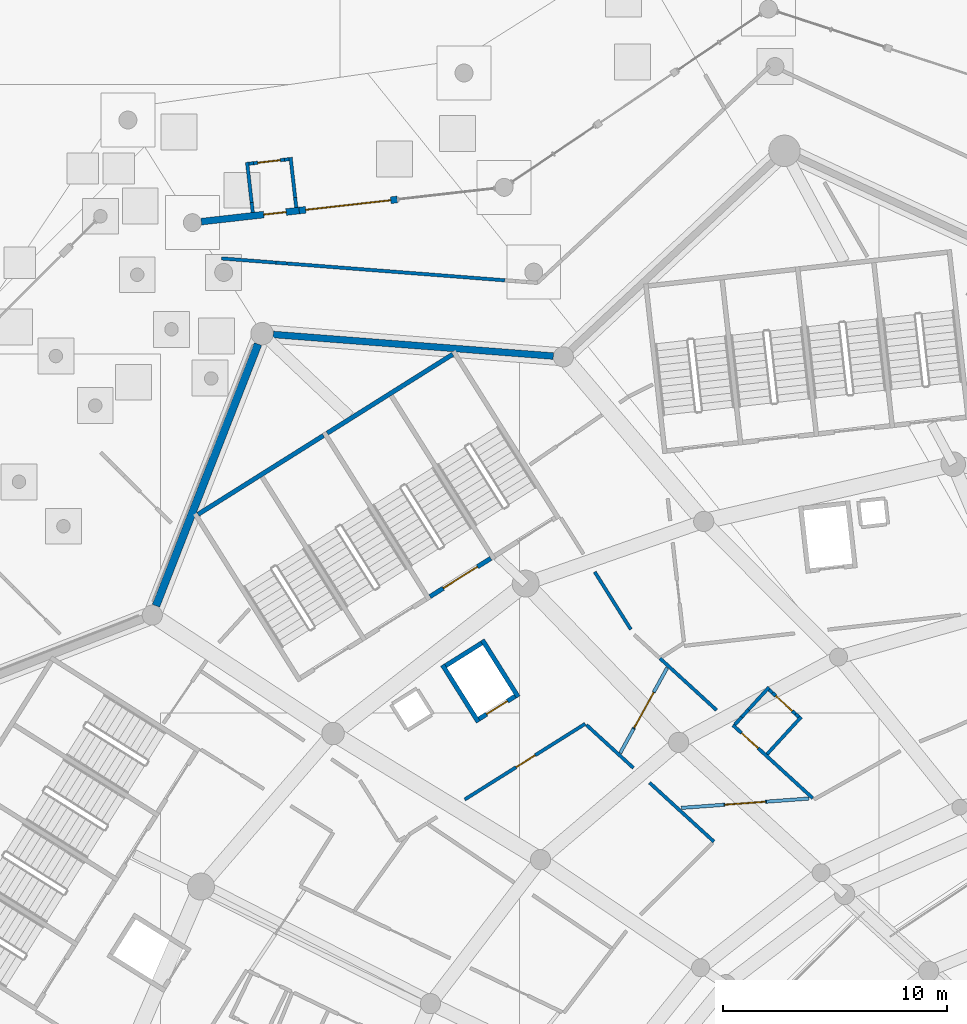
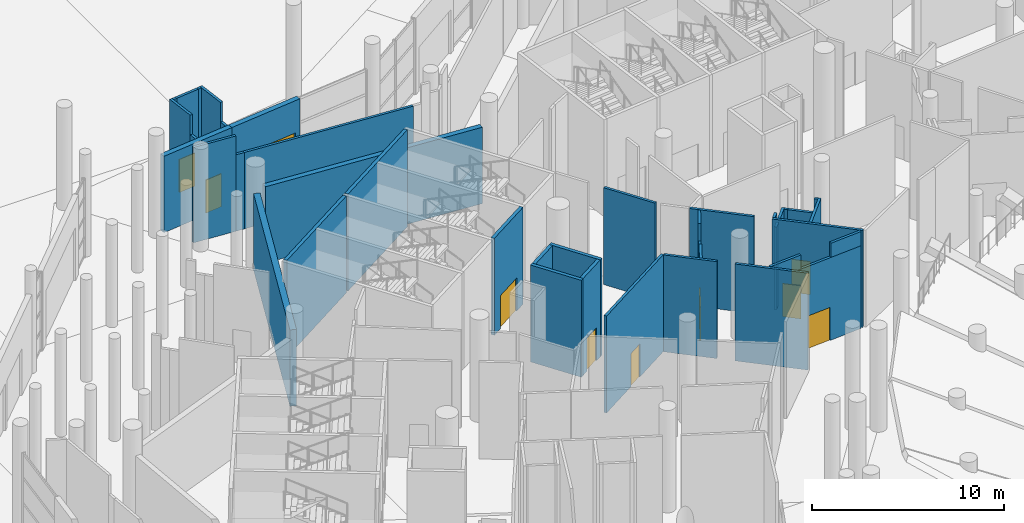
# One storey, part 139 of 255: 40 walls, 10 doors, 10 openings.
"""IFC4 building model written with IfcOpenShell, lengths in metres."""

from ifc_helpers import new_model, si_unit, direction, frame, frame_2d, origin, place, context, subcontext, project, spatial, rectangle, extrude, material, layer, layer_set, type_object, element, fill, save


model = new_model("IFC4")

# Units and contexts
model_context = context("Model", 3, precision=1e-05, world=origin(), true_north=direction((0.0, 1.0)))
body_context = subcontext(model_context, "Body", "Model", "MODEL_VIEW")
ifc_project = project(units=[si_unit("LENGTHUNIT", "METRE"), si_unit("AREAUNIT", "SQUARE_METRE"), si_unit("VOLUMEUNIT", "CUBIC_METRE"), si_unit("PLANEANGLEUNIT", "RADIAN"), si_unit("MASSUNIT", "GRAM", prefix="KILO")], contexts=[model_context])

# Site, building, storey
site_placement = place(None, origin())
site = spatial("IfcSite", under=ifc_project, at=site_placement, CompositionType="ELEMENT")
building_placement = place(site_placement, origin())
building = spatial("IfcBuilding", under=site, at=building_placement, Name="Meseta Stadium", CompositionType="ELEMENT")
storey_placement = place(building_placement, origin())
storey = spatial("IfcBuildingStorey", under=building, at=storey_placement, Name="L00", CompositionType="ELEMENT", Elevation=0.0)

# Walls
ifc_material_1 = material(Name="Concrete C40/50", Category="concrete")
ifc_layer_1 = layer(ifc_material_1, 0.199951171875)
ifc_layer_set_1 = layer_set([ifc_layer_1], Name="Core shaft wall 200")
wall_type_1 = type_object("IfcWallType", Name="Core shaft wall 200", PredefinedType="SHEAR", material=ifc_layer_set_1)
for number, where, z_axis, x_axis, name in (
    (1, (-66.981689453125, 95.985595703125, 0.0), (0.0, 0.0, 1.0), (-0.846719870989, -0.532038964807, 0.0), "Core 13 L00 stair A outer end wall"),
    (2, (-72.739501953125, 92.36767578125, 0.0), (0.0, 0.0, 1.0), (-0.846719870989, -0.532038964807, 0.0), "Core 13 L00 stair B outer end wall"),
):
    element("IfcWall", number, at=place(storey_placement, frame(where, z_axis=z_axis, x_axis=x_axis)), inside=storey, type_object=wall_type_1, Name=name, PredefinedType="SHEAR", context=body_context, shape_type="SweptSolid", body=[
        extrude(rectangle(XDim=6.60009765625, YDim=0.199951171875, at=frame_2d((3.300048828125, 0.0))), origin(), (0.0, 0.0, 1.0), 6.14990234375),
    ])

# Wall, opening, door
wall_1_placement = place(storey_placement, frame((-65.28515625, 86.894775390625, 0.0), z_axis=(0.0, 0.0, 1.0), x_axis=(-0.846735733015, -0.532013720158, 0.0)))
wall_1 = element("IfcWall", 3, at=wall_1_placement, inside=storey, type_object=wall_type_1, Name="Core 13 L00 stair A2 inner end wall", PredefinedType="SHEAR", context=body_context, shape_type="SweptSolid", body=[
    extrude(rectangle(XDim=3.199951171875, YDim=0.199951171875, at=frame_2d((1.60009765625, 0.0))), origin(), (0.0, 0.0, 1.0), 6.14990234375),
])
opening_1_placement = place(wall_1_placement, frame((0.699951171875, 0.0, 0.0)))
opening_1 = element("IfcOpeningElement", 4, at=opening_1_placement, cuts=wall_1, Name="Opening D180", PredefinedType="OPENING", context=body_context, shape_type="SweptSolid", body=[
    extrude(rectangle(XDim=1.800048828125, YDim=2.10009765625, at=frame_2d((0.89990234375, 1.050048828125))), frame((0.0, 0.10986328125, 0.0), z_axis=(0.0, -1.0, 0.0), x_axis=(1.0, 0.0, 0.0)), (0.0, 0.0, 1.0), 0.219970703125),
])
ifc_material_2 = material(Name="Steel", Category="steel")
door_type_1 = type_object("IfcDoorType", Name="Stair door 1800x2100", OperationType="DOUBLE_DOOR_SINGLE_SWING", PredefinedType="DOOR", material=ifc_material_2)
door_1_placement = place(opening_1_placement, origin())
door_1 = element("IfcDoor", 5, at=door_1_placement, inside=storey, type_object=door_type_1, Name="Stair A2 door 13 L00", OperationType="DOUBLE_DOOR_SINGLE_SWING", OverallHeight=2.10009765625, OverallWidth=1.800048828125, PredefinedType="DOOR", context=body_context, shape_type="SweptSolid", body=[
    extrude(rectangle(XDim=1.800048828125, YDim=2.10009765625, at=frame_2d((0.89990234375, 1.050048828125))), frame((0.0, 0.02490234375, 0.0), z_axis=(0.0, -1.0, 0.0), x_axis=(1.0, 0.0, 0.0)), (0.0, 0.0, 1.0), 0.050048828125),
])
fill(opening_1, door_1)

# Walls
wall_2_placement = place(storey_placement, frame((-65.658935546875, 83.260498046875, 0.0), z_axis=(0.0, 0.0, 1.0), x_axis=(0.532074873955, -0.846697306306, 0.0)))
element("IfcWall", 6, at=wall_2_placement, inside=storey, type_object=wall_type_1, Name="Core 13 L00 lift shaft wall left", PredefinedType="SHEAR", context=body_context, shape_type="SweptSolid", body=[
    extrude(rectangle(XDim=3.0, YDim=0.199951171875, at=frame_2d((1.5, 0.0))), origin(), (0.0, 0.0, 1.0), 6.14990234375),
])
wall_3_placement = place(storey_placement, frame((-67.43701171875, 82.143310546875, 0.0), z_axis=(0.0, 0.0, 1.0), x_axis=(0.532038212918, -0.84672034344, 0.0)))
element("IfcWall", 7, at=wall_3_placement, inside=storey, type_object=wall_type_1, Name="Core 13 L00 lift shaft wall right", PredefinedType="SHEAR", context=body_context, shape_type="SweptSolid", body=[
    extrude(rectangle(XDim=3.000244140625, YDim=0.199951171875, at=frame_2d((1.5, 0.0))), origin(), (0.0, 0.0, 1.0), 6.14990234375),
])
wall_4_placement = place(storey_placement, frame((-65.6904296875, 83.122802734375, 0.0), z_axis=(0.0, 0.0, 1.0), x_axis=(-0.846674592738, -0.532111016623, 0.0)))
element("IfcWall", 8, at=wall_4_placement, inside=storey, type_object=wall_type_1, Name="Core 13 L00 lift shaft back wall", PredefinedType="SHEAR", context=body_context, shape_type="SweptSolid", body=[
    extrude(rectangle(XDim=1.89990234375, YDim=0.199951171875, at=frame_2d((0.949951171875, 0.0))), origin(), (0.0, 0.0, 1.0), 6.14990234375),
])

# Wall, opening, door
wall_5_placement = place(storey_placement, frame((-64.20068359375, 80.751708984375, 0.0), z_axis=(0.0, 0.0, 1.0), x_axis=(-0.846768850524, -0.531961007765, 0.0)))
wall_5 = element("IfcWall", 9, at=wall_5_placement, inside=storey, type_object=wall_type_1, Name="Core 13 L00 lift shaft front wall", PredefinedType="SHEAR", context=body_context, shape_type="SweptSolid", body=[
    extrude(rectangle(XDim=1.900146484375, YDim=0.199951171875, at=frame_2d((0.9501953125, 0.0))), origin(), (0.0, 0.0, 1.0), 6.14990234375),
])
opening_2_placement = place(wall_5_placement, frame((0.39990234375, 0.0, 0.0)))
opening_2 = element("IfcOpeningElement", 10, at=opening_2_placement, cuts=wall_5, Name="Opening LD69", PredefinedType="OPENING", context=body_context, shape_type="SweptSolid", body=[
    extrude(rectangle(XDim=1.10009765625, YDim=2.10009765625, at=frame_2d((0.550048828125, 1.050048828125))), frame((0.0, 0.10986328125, 0.0), z_axis=(0.0, -1.0, 0.0), x_axis=(1.0, 0.0, 0.0)), (0.0, 0.0, 1.0), 0.219970703125),
])
ifc_material_3 = material(Name="Steel", Category="steel")
door_type_2 = type_object("IfcDoorType", Name="Lift landing door 1100x2100", OperationType="SLIDING_TO_LEFT", PredefinedType="DOOR", material=ifc_material_3)
door_2_placement = place(opening_2_placement, origin())
door_2 = element("IfcDoor", 11, at=door_2_placement, inside=storey, type_object=door_type_2, Name="Lift landing door LD69", OperationType="SLIDING_TO_LEFT", OverallHeight=2.10009765625, OverallWidth=1.10009765625, PredefinedType="DOOR", context=body_context, shape_type="SweptSolid", body=[
    extrude(rectangle(XDim=1.10009765625, YDim=2.10009765625, at=frame_2d((0.550048828125, 1.050048828125))), frame((0.0, 0.02490234375, 0.0), z_axis=(0.0, -1.0, 0.0), x_axis=(1.0, 0.0, 0.0)), (0.0, 0.0, 1.0), 0.050048828125),
])
fill(opening_2, door_2)

ifc_material_4 = material(Name="Masonry blockwork", Category="masonry")
ifc_layer_2 = layer(ifc_material_4, 0.14990234375)
ifc_layer_set_2 = layer_set([ifc_layer_2], Name="Partition 150")
wall_type_2 = type_object("IfcWallType", Name="Partition 150", PredefinedType="PARTITIONING", material=ifc_layer_set_2)
wall_6_placement = place(storey_placement, frame((-50.94140625, 76.2099609375, 0.0), z_axis=(0.0, 0.0, 1.0), x_axis=(-0.737599414767, 0.675238552909, 0.0)))
wall_6 = element("IfcWall", 12, at=wall_6_placement, inside=storey, type_object=wall_type_2, Name="Partition L00 L00-cell11-1-0", PredefinedType="PARTITIONING", context=body_context, shape_type="SweptSolid", body=[
    extrude(rectangle(XDim=4.8232421875, YDim=0.14990234375, at=frame_2d((2.41162109375, 0.0))), origin(), (0.0, 0.0, 1.0), 6.14990234375),
])
opening_3_placement = place(wall_6_placement, frame((3.300048828125, 0.0, 0.0)))
opening_3 = element("IfcOpeningElement", 13, at=opening_3_placement, cuts=wall_6, Name="Opening D565", PredefinedType="OPENING", context=body_context, shape_type="SweptSolid", body=[
    extrude(rectangle(XDim=1.0, YDim=2.10009765625, at=frame_2d((0.5, 1.050048828125))), frame((0.0, 0.0849609375, 0.0), z_axis=(0.0, -1.0, 0.0), x_axis=(1.0, 0.0, 0.0)), (0.0, 0.0, 1.0), 0.169921875),
])
ifc_material_5 = material(Name="Steel", Category="steel")
door_type_3 = type_object("IfcDoorType", Name="Fire door 1000x2100 EI2 60", OperationType="NOTDEFINED", PredefinedType="DOOR", material=ifc_material_5)
door_3_placement = place(opening_3_placement, origin())
door_3 = element("IfcDoor", 14, at=door_3_placement, inside=storey, type_object=door_type_3, Name="Door D565", OperationType="SINGLE_SWING_RIGHT", OverallHeight=2.10009765625, OverallWidth=1.0, PredefinedType="DOOR", context=body_context, shape_type="SweptSolid", body=[
    extrude(rectangle(XDim=1.0, YDim=2.10009765625, at=frame_2d((0.5, 1.050048828125))), frame((0.0, 0.02490234375, 0.0), z_axis=(0.0, -1.0, 0.0), x_axis=(1.0, 0.0, 0.0)), (0.0, 0.0, 1.0), 0.050048828125),
])
fill(opening_3, door_3)

# Walls
wall_7_placement = place(storey_placement, frame((-55.222412109375, 80.128662109375, 0.0), z_axis=(0.0, 0.0, 1.0), x_axis=(-0.737582217309, 0.675257338138, 0.0)))
element("IfcWall", 15, at=wall_7_placement, inside=storey, type_object=wall_type_2, Name="Partition L00 L00-cell11-1-0", PredefinedType="PARTITIONING", context=body_context, shape_type="SweptSolid", body=[
    extrude(rectangle(XDim=3.431396484375, YDim=0.14990234375, at=frame_2d((1.7158203125, 0.0))), origin(), (0.0, 0.0, 1.0), 6.14990234375),
])
wall_8_placement = place(storey_placement, frame((-59.04443359375, 83.7294921875, 0.0), z_axis=(0.0, 0.0, 1.0), x_axis=(-0.532093859438, 0.846685375301, 0.0)))
element("IfcWall", 16, at=wall_8_placement, inside=storey, type_object=wall_type_2, Name="Partition L00 L00-cell11-2-0", PredefinedType="PARTITIONING", context=body_context, shape_type="SweptSolid", body=[
    extrude(rectangle(XDim=3.025146484375, YDim=0.14990234375, at=frame_2d((1.5126953125, 0.0))), origin(), (0.0, 0.0, 1.0), 6.14990234375),
])

# Wall, opening, door
wall_9_placement = place(storey_placement, frame((-66.445556640625, 76.152587890625, 0.0), z_axis=(0.0, 0.0, 1.0), x_axis=(0.846727774618, 0.532026386272, 0.0)))
wall_9 = element("IfcWall", 17, at=wall_9_placement, inside=storey, type_object=wall_type_2, Name="Partition L00 L00-cell12-1-0w", PredefinedType="PARTITIONING", context=body_context, shape_type="SweptSolid", body=[
    extrude(rectangle(XDim=6.338134765625, YDim=0.14990234375, at=frame_2d((3.1689453125, 0.0))), origin(), (0.0, 0.0, 1.0), 6.14990234375),
])
opening_4_placement = place(wall_9_placement, frame((2.699951171875, 0.0, 0.0)))
opening_4 = element("IfcOpeningElement", 18, at=opening_4_placement, cuts=wall_9, Name="Opening D570", PredefinedType="OPENING", context=body_context, shape_type="SweptSolid", body=[
    extrude(rectangle(XDim=1.0, YDim=2.10009765625, at=frame_2d((0.5, 1.050048828125))), frame((0.0, 0.0849609375, 0.0), z_axis=(0.0, -1.0, 0.0), x_axis=(1.0, 0.0, 0.0)), (0.0, 0.0, 1.0), 0.169921875),
])
ifc_material_6 = material(Name="Timber", Category="wood")
door_type_4 = type_object("IfcDoorType", Name="Room door 1000x2100", OperationType="NOTDEFINED", PredefinedType="DOOR", material=ifc_material_6)
door_4_placement = place(opening_4_placement, origin())
door_4 = element("IfcDoor", 19, at=door_4_placement, inside=storey, type_object=door_type_4, Name="Door D570", OperationType="SINGLE_SWING_LEFT", OverallHeight=2.10009765625, OverallWidth=1.0, PredefinedType="DOOR", context=body_context, shape_type="SweptSolid", body=[
    extrude(rectangle(XDim=1.0, YDim=2.10009765625, at=frame_2d((0.5, 1.050048828125))), frame((0.0, 0.02490234375, 0.0), z_axis=(0.0, -1.0, 0.0), x_axis=(1.0, 0.0, 0.0)), (0.0, 0.0, 1.0), 0.050048828125),
])
fill(opening_4, door_4)

# Walls
wall_10_placement = place(storey_placement, frame((-61.021484375, 79.47216796875, 0.0), z_axis=(0.0, 0.0, 1.0), x_axis=(0.737611167133, -0.675225714943, 0.0)))
element("IfcWall", 20, at=wall_10_placement, inside=storey, type_object=wall_type_2, Name="Partition L00 L00-cell12-1-0w", PredefinedType="PARTITIONING", context=body_context, shape_type="SweptSolid", body=[
    extrude(rectangle(XDim=2.837158203125, YDim=0.14990234375, at=frame_2d((1.41845703125, 0.0))), origin(), (0.0, 0.0, 1.0), 6.14990234375),
])
wall_11_placement = place(storey_placement, frame((-58.2119140625, 76.900390625, 0.0), z_axis=(0.0, 0.0, 1.0), x_axis=(0.737605039511, -0.675232408647, 0.0)))
element("IfcWall", 21, at=wall_11_placement, inside=storey, type_object=wall_type_2, Name="Partition L00 L00-cell12-1-0w", PredefinedType="PARTITIONING", context=body_context, shape_type="SweptSolid", body=[
    extrude(rectangle(XDim=3.88671875, YDim=0.14990234375, at=frame_2d((1.943359375, 0.0))), origin(), (0.0, 0.0, 1.0), 6.14990234375),
])
wall_12_placement = place(storey_placement, frame((-64.662109375, 99.28369140625, 0.0), z_axis=(0.0, 0.0, 1.0), x_axis=(-0.997035430136, 0.076943817519, 0.0)))
element("IfcWall", 22, at=wall_12_placement, inside=storey, type_object=wall_type_2, Name="Partition L00 L00-ring11-0", PredefinedType="PARTITIONING", context=body_context, shape_type="SweptSolid", body=[
    extrude(rectangle(XDim=9.73779296875, YDim=0.14990234375, at=frame_2d((4.868896484375, 0.0))), origin(), (0.0, 0.0, 1.0), 4.85009765625),
])
wall_13_placement = place(storey_placement, frame((-74.37109375, 100.032958984375, 0.0), z_axis=(0.0, 0.0, 1.0), x_axis=(-0.997051534558, 0.076734851503, 0.0)))
element("IfcWall", 23, at=wall_13_placement, inside=storey, type_object=wall_type_2, Name="Partition L00 L00-ring11-0", PredefinedType="PARTITIONING", context=body_context, shape_type="SweptSolid", body=[
    extrude(rectangle(XDim=0.48681640625, YDim=0.14990234375, at=frame_2d((0.243408203125, 0.0))), origin(), (0.0, 0.0, 1.0), 4.85009765625),
])
wall_14_placement = place(storey_placement, frame((-74.8564453125, 100.0703125, 0.0), z_axis=(0.0, 0.0, 1.0), x_axis=(-0.99703735319, 0.076918894578, 0.0)))
element("IfcWall", 24, at=wall_14_placement, inside=storey, type_object=wall_type_2, Name="Partition L00 L00-ring11-0", PredefinedType="PARTITIONING", context=body_context, shape_type="SweptSolid", body=[
    extrude(rectangle(XDim=2.4345703125, YDim=0.14990234375, at=frame_2d((1.21728515625, 0.0))), origin(), (0.0, 0.0, 1.0), 6.050048828125),
])
wall_15_placement = place(storey_placement, frame((-52.974609375, 78.1728515625, 0.0), z_axis=(0.0, 0.0, 1.0), x_axis=(0.675223304543, 0.73761337366, 0.0)))
element("IfcWall", 25, at=wall_15_placement, inside=storey, type_object=wall_type_2, Name="Partition L00 L00-cell11-1-0 vestibule", PredefinedType="PARTITIONING", context=body_context, shape_type="SweptSolid", body=[
    extrude(rectangle(XDim=2.25, YDim=0.14990234375, at=frame_2d((1.125, 0.0))), origin(), (0.0, 0.0, 1.0), 6.14990234375),
])
wall_16_placement = place(storey_placement, frame((-54.4130859375, 79.489501953125, 0.0), z_axis=(0.0, 0.0, 1.0), x_axis=(0.675503473996, 0.737356804145, 0.0)))
element("IfcWall", 26, at=wall_16_placement, inside=storey, type_object=wall_type_2, Name="Partition L00 L00-cell11-1-0 vestibule", PredefinedType="PARTITIONING", context=body_context, shape_type="SweptSolid", body=[
    extrude(rectangle(XDim=0.449951171875, YDim=0.14990234375, at=frame_2d((0.22509765625, 0.0))), origin(), (0.0, 0.0, 1.0), 6.14990234375),
])
wall_17_placement = place(storey_placement, frame((-54.109130859375, 79.8212890625, 0.0), z_axis=(0.0, 0.0, 1.0), x_axis=(0.674938051731, 0.737874397391, 0.0)))
element("IfcWall", 27, at=wall_17_placement, inside=storey, type_object=wall_type_2, Name="Partition L00 L00-cell11-1-0 vestibule", PredefinedType="PARTITIONING", context=body_context, shape_type="SweptSolid", body=[
    extrude(rectangle(XDim=0.449951171875, YDim=0.14990234375, at=frame_2d((0.22509765625, 0.0))), origin(), (0.0, 0.0, 1.0), 5.25),
])
wall_18_placement = place(storey_placement, frame((-53.805419921875, 80.1533203125, 0.0), z_axis=(0.0, 0.0, 1.0), x_axis=(0.675224968906, 0.737611850072, 0.0)))
element("IfcWall", 28, at=wall_18_placement, inside=storey, type_object=wall_type_2, Name="Partition L00 L00-cell11-1-0 vestibule", PredefinedType="PARTITIONING", context=body_context, shape_type="SweptSolid", body=[
    extrude(rectangle(XDim=1.35009765625, YDim=0.14990234375, at=frame_2d((0.675048828125, 0.0))), origin(), (0.0, 0.0, 1.0), 5.25),
])
wall_19_placement = place(storey_placement, frame((-51.561279296875, 79.827880859375, 0.0), z_axis=(0.0, 0.0, 1.0), x_axis=(-0.737559513134, 0.675282137025, 0.0)))
element("IfcWall", 29, at=wall_19_placement, inside=storey, type_object=wall_type_2, Name="Partition L00 L00-cell11-1-0 vestibule", PredefinedType="PARTITIONING", context=body_context, shape_type="SweptSolid", body=[
    extrude(rectangle(XDim=0.199951171875, YDim=0.14990234375, at=frame_2d((0.10009765625, 0.0))), origin(), (0.0, 0.0, 1.0), 6.14990234375),
])

# Wall, opening, door
wall_20_placement = place(storey_placement, frame((-51.708740234375, 79.962890625, 0.0), z_axis=(0.0, 0.0, 1.0), x_axis=(-0.737631694145, 0.675203290716, 0.0)))
wall_20 = element("IfcWall", 30, at=wall_20_placement, inside=storey, type_object=wall_type_2, Name="Partition L00 L00-cell11-1-0 vestibule", PredefinedType="PARTITIONING", context=body_context, shape_type="SweptSolid", body=[
    extrude(rectangle(XDim=1.400146484375, YDim=0.14990234375, at=frame_2d((0.7001953125, 0.0))), origin(), (0.0, 0.0, 1.0), 5.25),
])
opening_5_placement = place(wall_20_placement, frame((0.199951171875, 0.0, 0.0)))
opening_5 = element("IfcOpeningElement", 31, at=opening_5_placement, cuts=wall_20, Name="Opening D841", PredefinedType="OPENING", context=body_context, shape_type="SweptSolid", body=[
    extrude(rectangle(XDim=1.0, YDim=2.10009765625, at=frame_2d((0.5, 1.050048828125))), frame((0.0, 0.0849609375, 0.0), z_axis=(0.0, -1.0, 0.0), x_axis=(1.0, 0.0, 0.0)), (0.0, 0.0, 1.0), 0.169921875),
])
door_5_placement = place(opening_5_placement, origin())
door_5 = element("IfcDoor", 32, at=door_5_placement, inside=storey, type_object=door_type_3, Name="Vestibule door L00 L00-cell11-1-0", OperationType="SINGLE_SWING_LEFT", OverallHeight=2.10009765625, OverallWidth=1.0, PredefinedType="DOOR", context=body_context, shape_type="SweptSolid", body=[
    extrude(rectangle(XDim=1.0, YDim=2.10009765625, at=frame_2d((0.5, 1.050048828125))), frame((0.0, 0.02490234375, 0.0), z_axis=(0.0, -1.0, 0.0), x_axis=(1.0, 0.0, 0.0)), (0.0, 0.0, 1.0), 0.050048828125),
])
fill(opening_5, door_5)

# Walls
wall_21_placement = place(storey_placement, frame((-52.741455078125, 80.908203125, 0.0), z_axis=(0.0, 0.0, 1.0), x_axis=(-0.737559513134, 0.675282137025, 0.0)))
element("IfcWall", 33, at=wall_21_placement, inside=storey, type_object=wall_type_2, Name="Partition L00 L00-cell11-1-0 vestibule", PredefinedType="PARTITIONING", context=body_context, shape_type="SweptSolid", body=[
    extrude(rectangle(XDim=0.199951171875, YDim=0.14990234375, at=frame_2d((0.10009765625, 0.0))), origin(), (0.0, 0.0, 1.0), 5.25),
])
wall_22_placement = place(storey_placement, frame((-75.889892578125, 102.307373046875, 0.0), z_axis=(0.0, 0.0, 1.0), x_axis=(-0.112276818937, 0.993676967595, 0.0)))
element("IfcWall", 34, at=wall_22_placement, inside=storey, type_object=wall_type_2, Name="Partition L00 L00-ring11-0 vestibule", PredefinedType="PARTITIONING", context=body_context, shape_type="SweptSolid", body=[
    extrude(rectangle(XDim=0.4501953125, YDim=0.14990234375, at=frame_2d((0.22509765625, 0.0))), origin(), (0.0, 0.0, 1.0), 4.85009765625),
])
wall_23_placement = place(storey_placement, frame((-75.9404296875, 102.754638671875, 0.0), z_axis=(0.0, 0.0, 1.0), x_axis=(-0.112441006732, 0.99365840207, 0.0)))
element("IfcWall", 35, at=wall_23_placement, inside=storey, type_object=wall_type_2, Name="Partition L00 L00-ring11-0 vestibule", PredefinedType="PARTITIONING", context=body_context, shape_type="SweptSolid", body=[
    extrude(rectangle(XDim=1.800048828125, YDim=0.14990234375, at=frame_2d((0.89990234375, 0.0))), origin(), (0.0, 0.0, 1.0), 6.10009765625),
])
wall_24_placement = place(storey_placement, frame((-73.9521484375, 102.52685546875, 0.0), z_axis=(0.0, 0.0, 1.0), x_axis=(-0.112337365252, 0.993670124522, 0.0)))
element("IfcWall", 36, at=wall_24_placement, inside=storey, type_object=wall_type_2, Name="Partition L00 L00-ring11-0 vestibule", PredefinedType="PARTITIONING", context=body_context, shape_type="SweptSolid", body=[
    extrude(rectangle(XDim=0.449951171875, YDim=0.14990234375, at=frame_2d((0.22509765625, 0.0))), origin(), (0.0, 0.0, 1.0), 4.85009765625),
])
wall_25_placement = place(storey_placement, frame((-74.002685546875, 102.973876953125, 0.0), z_axis=(0.0, 0.0, 1.0), x_axis=(-0.11257492335, 0.993643239112, 0.0)))
element("IfcWall", 37, at=wall_25_placement, inside=storey, type_object=wall_type_2, Name="Partition L00 L00-ring11-0 vestibule", PredefinedType="PARTITIONING", context=body_context, shape_type="SweptSolid", body=[
    extrude(rectangle(XDim=1.800048828125, YDim=0.14990234375, at=frame_2d((0.89990234375, 0.0))), origin(), (0.0, 0.0, 1.0), 6.10009765625),
])
wall_26_placement = place(storey_placement, frame((-76.059814453125, 104.47705078125, 0.0), z_axis=(0.0, 0.0, 1.0), x_axis=(0.993673547442, 0.112307083986, 0.0)))
element("IfcWall", 38, at=wall_26_placement, inside=storey, type_object=wall_type_2, Name="Partition L00 L00-ring11-0 vestibule", PredefinedType="PARTITIONING", context=body_context, shape_type="SweptSolid", body=[
    extrude(rectangle(XDim=0.199951171875, YDim=0.14990234375, at=frame_2d((0.10009765625, 0.0))), origin(), (0.0, 0.0, 1.0), 6.10009765625),
])

# Wall, opening, door
wall_27_placement = place(storey_placement, frame((-75.861083984375, 104.49951171875, 0.0), z_axis=(0.0, 0.0, 1.0), x_axis=(0.993651864752, 0.112498762992, 0.0)))
wall_27 = element("IfcWall", 39, at=wall_27_placement, inside=storey, type_object=wall_type_2, Name="Partition L00 L00-ring11-0 vestibule", PredefinedType="PARTITIONING", context=body_context, shape_type="SweptSolid", body=[
    extrude(rectangle(XDim=1.399658203125, YDim=0.14990234375, at=frame_2d((0.69970703125, 0.0))), origin(), (0.0, 0.0, 1.0), 6.10009765625),
])
opening_6_placement = place(wall_27_placement, frame((0.199951171875, 0.0, 0.0)))
opening_6 = element("IfcOpeningElement", 40, at=opening_6_placement, cuts=wall_27, Name="Opening D876", PredefinedType="OPENING", context=body_context, shape_type="SweptSolid", body=[
    extrude(rectangle(XDim=1.0, YDim=2.10009765625, at=frame_2d((0.5, 1.050048828125))), frame((0.0, 0.0849609375, 0.0), z_axis=(0.0, -1.0, 0.0), x_axis=(1.0, 0.0, 0.0)), (0.0, 0.0, 1.0), 0.169921875),
])
door_6_placement = place(opening_6_placement, origin())
door_6 = element("IfcDoor", 41, at=door_6_placement, inside=storey, type_object=door_type_3, Name="Vestibule door L00 L00-ring11-0", OperationType="SINGLE_SWING_LEFT", OverallHeight=2.10009765625, OverallWidth=1.0, PredefinedType="DOOR", context=body_context, shape_type="SweptSolid", body=[
    extrude(rectangle(XDim=1.0, YDim=2.10009765625, at=frame_2d((0.5, 1.050048828125))), frame((0.0, 0.02490234375, 0.0), z_axis=(0.0, -1.0, 0.0), x_axis=(1.0, 0.0, 0.0)), (0.0, 0.0, 1.0), 0.050048828125),
])
fill(opening_6, door_6)

# Wall
wall_28_placement = place(storey_placement, frame((-74.47021484375, 104.656982421875, 0.0), z_axis=(0.0, 0.0, 1.0), x_axis=(0.993688916384, 0.112171018782, 0.0)))
element("IfcWall", 42, at=wall_28_placement, inside=storey, type_object=wall_type_2, Name="Partition L00 L00-ring11-0 vestibule", PredefinedType="PARTITIONING", context=body_context, shape_type="SweptSolid", body=[
    extrude(rectangle(XDim=0.2001953125, YDim=0.14990234375, at=frame_2d((0.10009765625, 0.0))), origin(), (0.0, 0.0, 1.0), 6.10009765625),
])

# Wall, opening, door
wall_29_placement = place(storey_placement, frame((-57.426513671875, 82.019775390625, 0.0), z_axis=(0.0, 0.0, 1.0), x_axis=(-0.482565075982, -0.87586011865, 0.0)))
wall_29 = element("IfcWall", 43, at=wall_29_placement, inside=storey, type_object=wall_type_2, Name="Escape corridor sector wall L00 core 13", PredefinedType="PARTITIONING", context=body_context, shape_type="SweptSolid", body=[
    extrude(rectangle(XDim=4.334716796875, YDim=0.14990234375, at=frame_2d((2.16748046875, 0.0))), origin(), (0.0, 0.0, 1.0), 5.050048828125),
])
opening_7_placement = place(wall_29_placement, frame((1.25, 0.0, 0.0)))
opening_7 = element("IfcOpeningElement", 44, at=opening_7_placement, cuts=wall_29, Name="Opening D417", PredefinedType="OPENING", context=body_context, shape_type="SweptSolid", body=[
    extrude(rectangle(XDim=1.800048828125, YDim=2.10009765625, at=frame_2d((0.89990234375, 1.050048828125))), frame((0.0, 0.0849609375, 0.0), z_axis=(0.0, -1.0, 0.0), x_axis=(1.0, 0.0, 0.0)), (0.0, 0.0, 1.0), 0.169921875),
])
ifc_material_7 = material(Name="Steel", Category="steel")
door_type_5 = type_object("IfcDoorType", Name="Fire double door 1800x2100 EI2 60", OperationType="DOUBLE_DOOR_SINGLE_SWING", PredefinedType="DOOR", material=ifc_material_7)
door_7_placement = place(opening_7_placement, origin())
door_7 = element("IfcDoor", 45, at=door_7_placement, inside=storey, type_object=door_type_5, Name="Escape corridor door EC13-1", OperationType="DOUBLE_DOOR_SINGLE_SWING", OverallHeight=2.10009765625, OverallWidth=1.800048828125, PredefinedType="DOOR", context=body_context, shape_type="SweptSolid", body=[
    extrude(rectangle(XDim=1.800048828125, YDim=2.10009765625, at=frame_2d((0.89990234375, 1.050048828125))), frame((0.0, 0.02490234375, 0.0), z_axis=(0.0, -1.0, 0.0), x_axis=(1.0, 0.0, 0.0)), (0.0, 0.0, 1.0), 0.050048828125),
])
fill(opening_7, door_7)

# Walls
wall_30_placement = place(storey_placement, frame((-57.426513671875, 82.019775390625, 5.050048828125), z_axis=(0.0, 0.0, 1.0), x_axis=(-0.482524456718, -0.875882497067, 0.0)))
element("IfcWall", 46, at=wall_30_placement, inside=storey, type_object=wall_type_2, Name="Escape corridor sector wall L00 core 13", PredefinedType="PARTITIONING", context=body_context, shape_type="SweptSolid", body=[
    extrude(rectangle(XDim=1.237548828125, YDim=0.14990234375, at=frame_2d((0.61865234375, 0.0))), origin(), (0.0, 0.0, 1.0), 1.099853515625),
])
wall_31_placement = place(storey_placement, frame((-58.922607421875, 79.304443359375, 5.050048828125), z_axis=(0.0, 0.0, 1.0), x_axis=(-0.482533545942, -0.875877489744, 0.0)))
element("IfcWall", 47, at=wall_31_placement, inside=storey, type_object=wall_type_2, Name="Escape corridor sector wall L00 core 13", PredefinedType="PARTITIONING", context=body_context, shape_type="SweptSolid", body=[
    extrude(rectangle(XDim=1.234619140625, YDim=0.14990234375, at=frame_2d((0.6171875, 0.0))), origin(), (0.0, 0.0, 1.0), 1.099853515625),
])

# Wall, opening, door
wall_32_placement = place(storey_placement, frame((-51.113037109375, 76.194580078125, 0.0), z_axis=(0.0, 0.0, 1.0), x_axis=(-0.997323220016, -0.073119045508, 0.0)))
wall_32 = element("IfcWall", 48, at=wall_32_placement, inside=storey, type_object=wall_type_2, Name="Escape corridor discharge wall L00 core 13", PredefinedType="PARTITIONING", context=body_context, shape_type="SweptSolid", body=[
    extrude(rectangle(XDim=5.699462890625, YDim=0.14990234375, at=frame_2d((2.849609375, 0.0))), origin(), (0.0, 0.0, 1.0), 5.25),
])
opening_8_placement = place(wall_32_placement, frame((1.94970703125, 0.0, 0.0)))
opening_8 = element("IfcOpeningElement", 49, at=opening_8_placement, cuts=wall_32, Name="Opening D389", PredefinedType="OPENING", context=body_context, shape_type="SweptSolid", body=[
    extrude(rectangle(XDim=1.800048828125, YDim=2.10009765625, at=frame_2d((0.89990234375, 1.050048828125))), frame((0.0, 0.0849609375, 0.0), z_axis=(0.0, -1.0, 0.0), x_axis=(1.0, 0.0, 0.0)), (0.0, 0.0, 1.0), 0.169921875),
])
door_8_placement = place(opening_8_placement, origin())
door_8 = element("IfcDoor", 50, at=door_8_placement, inside=storey, type_object=door_type_5, Name="Stair discharge door SD13-1", OperationType="DOUBLE_DOOR_SINGLE_SWING", OverallHeight=2.10009765625, OverallWidth=1.800048828125, PredefinedType="DOOR", context=body_context, shape_type="SweptSolid", body=[
    extrude(rectangle(XDim=1.800048828125, YDim=2.10009765625, at=frame_2d((0.89990234375, 1.050048828125))), frame((0.0, 0.02490234375, 0.0), z_axis=(0.0, -1.0, 0.0), x_axis=(1.0, 0.0, 0.0)), (0.0, 0.0, 1.0), 0.050048828125),
])
fill(opening_8, door_8)

# Walls
wall_33_placement = place(storey_placement, frame((-54.902587890625, 75.916748046875, 5.25), z_axis=(0.0, 0.0, 1.0), x_axis=(-0.997323220016, -0.073119045508, 0.0)))
element("IfcWall", 51, at=wall_33_placement, inside=storey, type_object=wall_type_2, Name="Escape corridor discharge wall L00 core 13", PredefinedType="PARTITIONING", context=body_context, shape_type="SweptSolid", body=[
    extrude(rectangle(XDim=1.89990234375, YDim=0.14990234375, at=frame_2d((0.949951171875, 0.0))), origin(), (0.0, 0.0, 1.0), 0.89990234375),
])
wall_34_placement = place(storey_placement, frame((-51.113037109375, 76.194580078125, 5.25), z_axis=(0.0, 0.0, 1.0), x_axis=(-0.997322532849, -0.073128417679, 0.0)))
element("IfcWall", 52, at=wall_34_placement, inside=storey, type_object=wall_type_2, Name="Escape corridor discharge wall L00 core 13", PredefinedType="PARTITIONING", context=body_context, shape_type="SweptSolid", body=[
    extrude(rectangle(XDim=1.899658203125, YDim=0.14990234375, at=frame_2d((0.94970703125, 0.0))), origin(), (0.0, 0.0, 1.0), 0.89990234375),
])
ifc_material_8 = material(Name="White precast concrete C40/50", Category="concrete")
ifc_layer_3 = layer(ifc_material_8, 0.300048828125)
ifc_layer_set_3 = layer_set([ifc_layer_3], Name="Pleated panel wall 300 concourse")
wall_type_3 = type_object("IfcWallType", Name="Pleated panel wall 300 concourse", PredefinedType="SOLIDWALL", material=ifc_layer_set_3)
wall_35_placement = place(storey_placement, frame((-74.9765625, 96.8701171875, 0.0), z_axis=(0.0, 0.0, 1.0), x_axis=(0.997035289114, -0.076945644854, 0.0)))
element("IfcWall", 53, at=wall_35_placement, inside=storey, type_object=wall_type_3, Name="Pleated facade panel L00 F23", PredefinedType="SOLIDWALL", context=body_context, shape_type="SweptSolid", body=[
    extrude(rectangle(XDim=12.513916015625, YDim=0.300048828125, at=frame_2d((6.2568359375, 0.0))), origin(), (0.0, 0.0, 1.0), 4.85009765625),
])
ifc_material_9 = material(Name="White precast concrete C40/50", Category="concrete")
ifc_layer_4 = layer(ifc_material_9, 0.35009765625)
ifc_layer_set_4 = layer_set([ifc_layer_4], Name="Pleated panel wall 350 gate")
wall_type_4 = type_object("IfcWallType", Name="Pleated panel wall 350 gate", PredefinedType="SOLIDWALL", material=ifc_layer_set_4)
wall_36_placement = place(storey_placement, frame((-80.2021484375, 84.784423828125, 0.0), z_axis=(0.0, 0.0, 1.0), x_axis=(0.363293457312, 0.931674762927, 0.0)))
element("IfcWall", 54, at=wall_36_placement, inside=storey, type_object=wall_type_4, Name="Pleated facade panel L00 F24", PredefinedType="SOLIDWALL", context=body_context, shape_type="SweptSolid", body=[
    extrude(rectangle(XDim=12.513671875, YDim=0.35009765625, at=frame_2d((6.2568359375, 0.0))), origin(), (0.0, 0.0, 1.0), 4.85009765625),
])

# Wall, opening, door
ifc_material_10 = material(Name="Precast concrete C40/50", Category="concrete")
ifc_layer_5 = layer(ifc_material_10, 0.300048828125)
ifc_layer_set_5 = layer_set([ifc_layer_5], Name="Ring facade panel wall 300")
wall_type_5 = type_object("IfcWallType", Name="Ring facade panel wall 300", PredefinedType="SOLIDWALL", material=ifc_layer_set_5)
wall_37_placement = place(storey_placement, frame((-73.8232421875, 102.390380859375, 0.0), z_axis=(0.0, 0.0, 1.0), x_axis=(0.993654957488, 0.112471442865, 0.0)))
wall_37 = element("IfcWall", 55, at=wall_37_placement, inside=storey, type_object=wall_type_5, Name="Ring facade panel wall F23", PredefinedType="SOLIDWALL", context=body_context, shape_type="SweptSolid", body=[
    extrude(rectangle(XDim=4.39990234375, YDim=0.300048828125, at=frame_2d((2.199951171875, 0.0))), origin(), (0.0, 0.0, 1.0), 4.85009765625),
])
opening_9_placement = place(wall_37_placement, frame((0.300048828125, 0.0, 0.0)))
opening_9 = element("IfcOpeningElement", 56, at=opening_9_placement, cuts=wall_37, Name="Opening D949", PredefinedType="OPENING", context=body_context, shape_type="SweptSolid", body=[
    extrude(rectangle(XDim=3.800048828125, YDim=2.800048828125, at=frame_2d((1.89990234375, 1.39990234375))), frame((0.0, 0.159912109375, 0.0), z_axis=(0.0, -1.0, 0.0), x_axis=(1.0, 0.0, 0.0)), (0.0, 0.0, 1.0), 0.320068359375),
])
ifc_material_11 = material(Name="Steel", Category="steel")
door_type_6 = type_object("IfcDoorType", Name="Final exit door 3800x2800", OperationType="DOUBLE_DOOR_SINGLE_SWING", PredefinedType="DOOR", material=ifc_material_11)
door_9_placement = place(opening_9_placement, origin())
door_9 = element("IfcDoor", 57, at=door_9_placement, inside=storey, type_object=door_type_6, Name="Final exit F14", OperationType="DOUBLE_DOOR_SINGLE_SWING", OverallHeight=2.800048828125, OverallWidth=3.800048828125, PredefinedType="DOOR", context=body_context, shape_type="SweptSolid", body=[
    extrude(rectangle(XDim=3.800048828125, YDim=2.800048828125, at=frame_2d((1.89990234375, 1.39990234375))), frame((0.0, 0.02490234375, 0.0), z_axis=(0.0, -1.0, 0.0), x_axis=(1.0, 0.0, 0.0)), (0.0, 0.0, 1.0), 0.050048828125),
])
fill(opening_9, door_9)

wall_38_placement = place(storey_placement, frame((-78.18310546875, 101.89697265625, 0.0), z_axis=(0.0, 0.0, 1.0), x_axis=(0.993657074804, 0.112452735367, 0.0)))
wall_38 = element("IfcWall", 58, at=wall_38_placement, inside=storey, type_object=wall_type_5, Name="Ring store panel wall F23b", PredefinedType="SOLIDWALL", context=body_context, shape_type="SweptSolid", body=[
    extrude(rectangle(XDim=4.3876953125, YDim=0.300048828125, at=frame_2d((2.19384765625, 0.0))), origin(), (0.0, 0.0, 1.0), 4.85009765625),
])
opening_10_placement = place(wall_38_placement, frame((2.800048828125, 0.0, 0.0)))
opening_10 = element("IfcOpeningElement", 59, at=opening_10_placement, cuts=wall_38, Name="Opening D626", PredefinedType="OPENING", context=body_context, shape_type="SweptSolid", body=[
    extrude(rectangle(XDim=1.0, YDim=2.10009765625, at=frame_2d((0.5, 1.050048828125))), frame((0.0, 0.159912109375, 0.0), z_axis=(0.0, -1.0, 0.0), x_axis=(1.0, 0.0, 0.0)), (0.0, 0.0, 1.0), 0.320068359375),
])
door_10_placement = place(opening_10_placement, origin())
door_10 = element("IfcDoor", 60, at=door_10_placement, inside=storey, type_object=door_type_3, Name="Door D626", OperationType="SINGLE_SWING_RIGHT", OverallHeight=2.10009765625, OverallWidth=1.0, PredefinedType="DOOR", context=body_context, shape_type="SweptSolid", body=[
    extrude(rectangle(XDim=1.0, YDim=2.10009765625, at=frame_2d((0.5, 1.050048828125))), frame((0.0, 0.02490234375, 0.0), z_axis=(0.0, -1.0, 0.0), x_axis=(1.0, 0.0, 0.0)), (0.0, 0.0, 1.0), 0.050048828125),
])
fill(opening_10, door_10)

save(model, "model.ifc")
